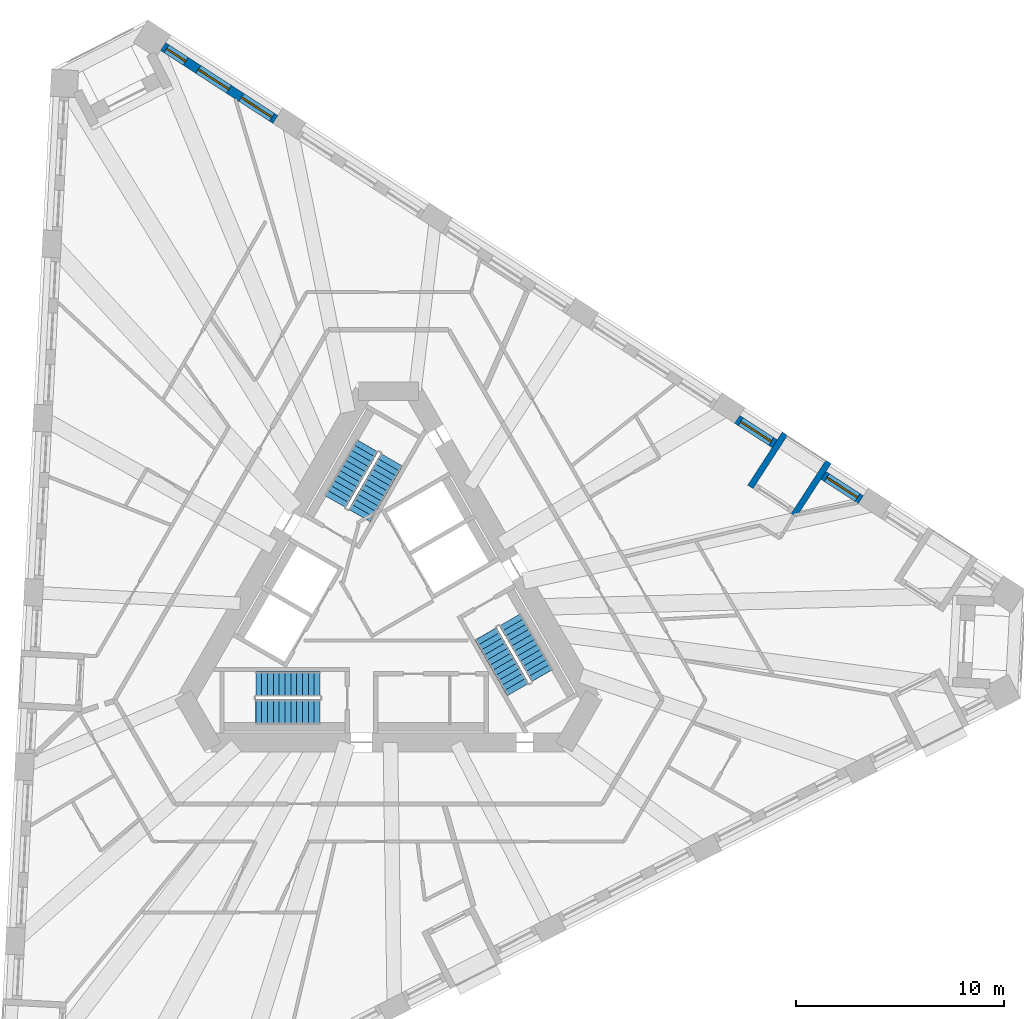
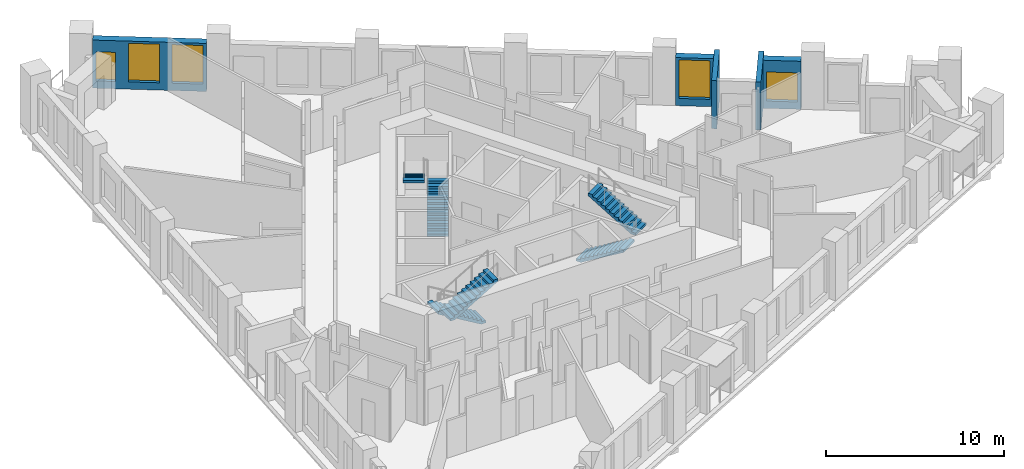
# One storey, part 9 of 13: 6 stair flights, 5 walls, 5 windows, 5 openings, 3 elements without a shape of their own.
"""IFC4 building model written with IfcOpenShell, lengths in metres."""

from ifc_helpers import new_model, si_unit, direction, frame, frame_2d, origin, place, context, subcontext, project, spatial, polyline, rectangle, outline, extrude, material, layer, layer_set, type_object, element, fill, aggregate, save


model = new_model("IFC4")

# Units and contexts
model_context = context("Model", 3, precision=1e-05, world=origin(), true_north=direction((0.0, 1.0)))
body_context = subcontext(model_context, "Body", "Model", "MODEL_VIEW")
ifc_project = project(units=[si_unit("LENGTHUNIT", "METRE"), si_unit("AREAUNIT", "SQUARE_METRE"), si_unit("VOLUMEUNIT", "CUBIC_METRE"), si_unit("PLANEANGLEUNIT", "RADIAN"), si_unit("MASSUNIT", "GRAM", prefix="KILO")], contexts=[model_context])

# Site, building, storey
site_placement = place(None, origin())
site = spatial("IfcSite", under=ifc_project, at=site_placement, CompositionType="ELEMENT")
building_placement = place(site_placement, origin())
building = spatial("IfcBuilding", under=site, at=building_placement, Name="Tramontana Tower", CompositionType="ELEMENT")
storey_placement = place(building_placement, frame((0.0, 0.0, 145.60009765625)))
storey = spatial("IfcBuildingStorey", under=building, at=storey_placement, Name="L33", CompositionType="ELEMENT", Elevation=145.60009765625)

# Wall, opening, window
ifc_material_1 = material(Name="Precast concrete 60 MPa", Category="concrete")
ifc_layer_1 = layer(ifc_material_1, 0.449951171875)
ifc_layer_set_1 = layer_set([ifc_layer_1], Name="Precast concrete 60 MPa, 450 mm")
wall_type_1 = type_object("IfcWallType", Name="EW1 Stone-faced precast wall 450", PredefinedType="SOLIDWALL", material=ifc_layer_set_1)
wall_1_placement = place(storey_placement, frame((22.660400390625, 5.345703125, 0.0), z_axis=(0.0, 0.0, 1.0), x_axis=(-0.838675466927, 0.544631491171, 0.0)))
wall_1 = element("IfcWall", 1, at=wall_1_placement, inside=storey, type_object=wall_type_1, Name="External wall L33 face 2 bay 2", PredefinedType="SOLIDWALL", context=body_context, shape_type="SweptSolid", body=[
    extrude(rectangle(XDim=2.140380859375, YDim=0.449951171875, at=frame_2d((1.0703125, 0.0))), origin(), (0.0, 0.0, 1.0), 3.2998046875),
])
opening_1_placement = place(wall_1_placement, frame((0.1953125, 0.0, 0.5)))
opening_1 = element("IfcOpeningElement", 2, at=opening_1_placement, cuts=wall_1, Name="Opening M2L", PredefinedType="OPENING", context=body_context, shape_type="SweptSolid", body=[
    extrude(rectangle(XDim=1.75, YDim=2.0, at=frame_2d((0.875, 1.0))), frame((0.0, 0.23486328125, 0.0), z_axis=(0.0, -1.0, 0.0), x_axis=(1.0, 0.0, 0.0)), (0.0, 0.0, 1.0), 0.469970703125),
])
ifc_material_2 = material(Name="Aluminum frame, double glazing unit", Category="aluminium")
window_type_1 = type_object("IfcWindowType", Name="M2L Window 1.75 x 2", PartitioningType="SINGLE_PANEL", PredefinedType="WINDOW", material=ifc_material_2)
window_1_placement = place(opening_1_placement, origin())
window_1 = element("IfcWindow", 3, at=window_1_placement, inside=storey, type_object=window_type_1, Name="Window M2L L33 face 2 module 4", OverallHeight=2.0, OverallWidth=1.75, PartitioningType="SINGLE_PANEL", PredefinedType="WINDOW", context=body_context, shape_type="SweptSolid", body=[
    extrude(rectangle(XDim=1.75, YDim=2.0, at=frame_2d((0.875, 1.0))), frame((0.0, 0.030029296875, 0.0), z_axis=(0.0, -1.0, 0.0), x_axis=(1.0, 0.0, 0.0)), (0.0, 0.0, 1.0), 0.06005859375),
])
fill(opening_1, window_1)

wall_2_placement = place(storey_placement, frame((18.52490234375, 8.03125, 0.0), z_axis=(0.0, 0.0, 1.0), x_axis=(-0.838675466927, 0.544631491171, 0.0)))
wall_2 = element("IfcWall", 4, at=wall_2_placement, inside=storey, type_object=wall_type_1, Name="External wall L33 face 2 bay 2", PredefinedType="SOLIDWALL", context=body_context, shape_type="SweptSolid", body=[
    extrude(rectangle(XDim=2.140380859375, YDim=0.449951171875, at=frame_2d((1.0703125, 0.0))), origin(), (0.0, 0.0, 1.0), 3.2998046875),
])
opening_2_placement = place(wall_2_placement, frame((0.1953125, 0.0, 0.5)))
opening_2 = element("IfcOpeningElement", 5, at=opening_2_placement, cuts=wall_2, Name="Opening M2", PredefinedType="OPENING", context=body_context, shape_type="SweptSolid", body=[
    extrude(rectangle(XDim=1.75, YDim=2.64990234375, at=frame_2d((0.875, 1.324951171875))), frame((0.0, 0.23486328125, 0.0), z_axis=(0.0, -1.0, 0.0), x_axis=(1.0, 0.0, 0.0)), (0.0, 0.0, 1.0), 0.469970703125),
])
ifc_material_3 = material(Name="Aluminum frame, double glazing unit", Category="aluminium")
window_type_2 = type_object("IfcWindowType", Name="M2 Window 1.75 x 2.65", PartitioningType="SINGLE_PANEL", PredefinedType="WINDOW", material=ifc_material_3)
window_2_placement = place(opening_2_placement, origin())
window_2 = element("IfcWindow", 6, at=window_2_placement, inside=storey, type_object=window_type_2, Name="Window M2 L33 face 2 module 6", OverallHeight=2.64990234375, OverallWidth=1.75, PartitioningType="SINGLE_PANEL", PredefinedType="WINDOW", context=body_context, shape_type="SweptSolid", body=[
    extrude(rectangle(XDim=1.75, YDim=2.64990234375, at=frame_2d((0.875, 1.324951171875))), frame((0.0, 0.030029296875, 0.0), z_axis=(0.0, -1.0, 0.0), x_axis=(1.0, 0.0, 0.0)), (0.0, 0.0, 1.0), 0.06005859375),
])
fill(opening_2, window_2)

# Wall, openings, windows
wall_3_placement = place(storey_placement, frame((-5.423583984375, 23.583740234375, 0.0), z_axis=(0.0, 0.0, 1.0), x_axis=(-0.838675466927, 0.544631491171, 0.0)))
wall_3 = element("IfcWall", 7, at=wall_3_placement, inside=storey, type_object=wall_type_1, Name="External wall L33 face 2 bay 6", PredefinedType="SOLIDWALL", context=body_context, shape_type="SweptSolid", body=[
    extrude(rectangle(XDim=6.42138671875, YDim=0.449951171875, at=frame_2d((3.210693359375, 0.0))), origin(), (0.0, 0.0, 1.0), 3.2998046875),
])
opening_3_placement = place(wall_3_placement, frame((0.1953125, 0.0, 0.5)))
opening_3 = element("IfcOpeningElement", 8, at=opening_3_placement, cuts=wall_3, Name="Opening M2", PredefinedType="OPENING", context=body_context, shape_type="SweptSolid", body=[
    extrude(rectangle(XDim=1.75, YDim=2.64990234375, at=frame_2d((0.875, 1.324951171875))), frame((0.0, 0.23486328125, 0.0), z_axis=(0.0, -1.0, 0.0), x_axis=(1.0, 0.0, 0.0)), (0.0, 0.0, 1.0), 0.469970703125),
])
opening_4_placement = place(wall_3_placement, frame((2.660888671875, 0.0, 0.5)))
opening_4 = element("IfcOpeningElement", 9, at=opening_4_placement, cuts=wall_3, Name="Opening M2", PredefinedType="OPENING", context=body_context, shape_type="SweptSolid", body=[
    extrude(rectangle(XDim=1.75, YDim=2.64990234375, at=frame_2d((0.875, 1.324951171875))), frame((0.0, 0.23486328125, 0.0), z_axis=(0.0, -1.0, 0.0), x_axis=(1.0, 0.0, 0.0)), (0.0, 0.0, 1.0), 0.469970703125),
])
opening_5_placement = place(wall_3_placement, frame((5.126220703125, 0.0, 0.5)))
opening_5 = element("IfcOpeningElement", 10, at=opening_5_placement, cuts=wall_3, Name="Opening N2L", PredefinedType="OPENING", context=body_context, shape_type="SweptSolid", body=[
    extrude(rectangle(XDim=1.10009765625, YDim=2.0, at=frame_2d((0.550048828125, 1.0))), frame((0.0, 0.23486328125, 0.0), z_axis=(0.0, -1.0, 0.0), x_axis=(1.0, 0.0, 0.0)), (0.0, 0.0, 1.0), 0.469970703125),
])
window_3_placement = place(opening_3_placement, origin())
window_3 = element("IfcWindow", 11, at=window_3_placement, inside=storey, type_object=window_type_2, Name="Window M2 L33 face 2 module 16", OverallHeight=2.64990234375, OverallWidth=1.75, PartitioningType="SINGLE_PANEL", PredefinedType="WINDOW", context=body_context, shape_type="SweptSolid", body=[
    extrude(rectangle(XDim=1.75, YDim=2.64990234375, at=frame_2d((0.875, 1.324951171875))), frame((0.0, 0.030029296875, 0.0), z_axis=(0.0, -1.0, 0.0), x_axis=(1.0, 0.0, 0.0)), (0.0, 0.0, 1.0), 0.06005859375),
])
fill(opening_3, window_3)
window_4_placement = place(opening_4_placement, origin())
window_4 = element("IfcWindow", 12, at=window_4_placement, inside=storey, type_object=window_type_2, Name="Window M2 L33 face 2 module 17", OverallHeight=2.64990234375, OverallWidth=1.75, PartitioningType="SINGLE_PANEL", PredefinedType="WINDOW", context=body_context, shape_type="SweptSolid", body=[
    extrude(rectangle(XDim=1.75, YDim=2.64990234375, at=frame_2d((0.875, 1.324951171875))), frame((0.0, 0.030029296875, 0.0), z_axis=(0.0, -1.0, 0.0), x_axis=(1.0, 0.0, 0.0)), (0.0, 0.0, 1.0), 0.06005859375),
])
fill(opening_4, window_4)
ifc_material_4 = material(Name="Aluminum frame, double glazing unit", Category="aluminium")
window_type_3 = type_object("IfcWindowType", Name="N2L Window 1.1 x 2", PartitioningType="SINGLE_PANEL", PredefinedType="WINDOW", material=ifc_material_4)
window_5_placement = place(opening_5_placement, origin())
window_5 = element("IfcWindow", 13, at=window_5_placement, inside=storey, type_object=window_type_3, Name="Window N2L L33 face 2 module 18", OverallHeight=2.0, OverallWidth=1.10009765625, PartitioningType="SINGLE_PANEL", PredefinedType="WINDOW", context=body_context, shape_type="SweptSolid", body=[
    extrude(rectangle(XDim=1.10009765625, YDim=2.0, at=frame_2d((0.550048828125, 1.0))), frame((0.0, 0.030029296875, 0.0), z_axis=(0.0, -1.0, 0.0), x_axis=(1.0, 0.0, 0.0)), (0.0, 0.0, 1.0), 0.06005859375),
])
fill(opening_5, window_5)

# Walls
ifc_material_5 = material(Name="Precast concrete 60 MPa", Category="concrete")
ifc_layer_2 = layer(ifc_material_5, 0.300048828125)
ifc_layer_set_2 = layer_set([ifc_layer_2], Name="LW1 Stone-faced loggia wall 300")
wall_type_2 = type_object("IfcWallType", Name="LW1 Stone-faced loggia wall 300", PredefinedType="SOLIDWALL", material=ifc_layer_set_2)
for number, where, z_axis, x_axis, name in (
    (14, (21.10693359375, 7.1591796875, 0.0), (0.0, 0.0, 1.0), (-0.544647854685, -0.838664840319, 0.0), "Loggia return L33 G3S2.4a"),
    (15, (19.018310546875, 8.515625, 0.0), (0.0, 0.0, 1.0), (-0.544647854685, -0.838664840319, 0.0), "Loggia return L33 G3S2.4b"),
):
    element("IfcWall", number, at=place(storey_placement, frame(where, z_axis=z_axis, x_axis=x_axis)), inside=storey, type_object=wall_type_2, Name=name, PredefinedType="SOLIDWALL", context=body_context, shape_type="SweptSolid", body=[
        extrude(rectangle(XDim=3.0498046875, YDim=0.300048828125, at=frame_2d((1.52490234375, 0.0))), origin(), (0.0, 0.0, 1.0), 3.2998046875),
    ])

# Stair, stair flights
ifc_material_6 = material(Name="Concrete 40 MPa", Category="concrete")
stair_type = type_object("IfcStairType", Name="EXIT STAIR 24 RISERS", PredefinedType="HALF_TURN_STAIR", material=ifc_material_6)
stair_1_placement = place(storey_placement, origin())
stair_1 = element("IfcStair", 16, at=stair_1_placement, inside=storey, type_object=stair_type, Name="L33 Exit stair ST1", PredefinedType="HALF_TURN_STAIR")
ifc_material_7 = material(Name="Concrete 40 MPa", Category="concrete")
ifc_layer_3 = layer(ifc_material_7, 0.14990234375)
ifc_layer_set_3 = layer_set([ifc_layer_3], Name="EXIT STAIR FLIGHT")
stair_flight_type = type_object("IfcStairFlightType", Name="EXIT STAIR FLIGHT", PredefinedType="STRAIGHT", material=ifc_layer_set_3)
stair_flight_1_placement = place(storey_placement, frame((-1.39111328125, 4.590576171875, 0.0), z_axis=(0.0, 0.0, 1.0), x_axis=(0.5, 0.866025403784, 0.0)))
stair_flight_1 = element("IfcStairFlight", 17, at=stair_flight_1_placement, type_object=stair_flight_type, Name="ST1 flight 1", NumberOfRisers=12, NumberOfTreads=11, PredefinedType="STRAIGHT", RiserHeight=0.166666667, TreadLength=0.28, context=body_context, shape_type="SweptSolid", body=[
    extrude(outline(polyline([(-0.006103515625, 0.0), (-0.006103515625, 0.0400390625), (0.0, 0.0400390625), (0.0, 0.166748046875), (0.280029296875, 0.166748046875), (0.280029296875, 0.333251953125), (0.56005859375, 0.333251953125), (0.56005859375, 0.5), (0.840087890625, 0.5), (0.840087890625, 0.666748046875), (1.1201171875, 0.666748046875), (1.1201171875, 0.833251953125), (1.39990234375, 0.833251953125), (1.39990234375, 1.0), (1.679931640625, 1.0), (1.679931640625, 1.166748046875), (1.9599609375, 1.166748046875), (1.9599609375, 1.333251953125), (2.239990234375, 1.333251953125), (2.239990234375, 1.5), (2.52001953125, 1.5), (2.52001953125, 1.666748046875), (2.800048828125, 1.666748046875), (2.800048828125, 1.833251953125), (3.080078125, 1.833251953125), (3.0859375, 1.833251953125), (3.0859375, 1.658935546875), (0.299072265625, 0.0), (-0.006103515625, 0.0)])), frame((0.0, 0.60009765625, 0.0), z_axis=(0.0, -1.0, 0.0), x_axis=(1.0, 0.0, 0.0)), (0.0, 0.0, 1.0), 1.199951171875),
])
stair_flight_2_placement = place(storey_placement, frame((-1.020263671875, 7.932861328125, 2.0), z_axis=(0.0, 0.0, 1.0), x_axis=(-0.5, -0.866025403784, 0.0)))
stair_flight_2 = element("IfcStairFlight", 18, at=stair_flight_2_placement, type_object=stair_flight_type, Name="ST1 flight 2", NumberOfRisers=12, NumberOfTreads=11, PredefinedType="STRAIGHT", RiserHeight=0.166666667, TreadLength=0.28, context=body_context, shape_type="SweptSolid", body=[
    extrude(outline(polyline([(-0.006103515625, 0.0), (-0.006103515625, 0.0400390625), (0.0, 0.0400390625), (0.0, 0.166748046875), (0.280029296875, 0.166748046875), (0.280029296875, 0.333251953125), (0.56005859375, 0.333251953125), (0.56005859375, 0.5), (0.840087890625, 0.5), (0.840087890625, 0.666748046875), (1.1201171875, 0.666748046875), (1.1201171875, 0.833251953125), (1.39990234375, 0.833251953125), (1.39990234375, 1.0), (1.679931640625, 1.0), (1.679931640625, 1.166748046875), (1.9599609375, 1.166748046875), (1.9599609375, 1.333251953125), (2.239990234375, 1.333251953125), (2.239990234375, 1.5), (2.52001953125, 1.5), (2.52001953125, 1.666748046875), (2.800048828125, 1.666748046875), (2.800048828125, 1.833251953125), (3.080078125, 1.833251953125), (3.0859375, 1.833251953125), (3.0859375, 1.658935546875), (0.299072265625, 0.0), (-0.006103515625, 0.0)])), frame((0.0, 0.60009765625, 0.0), z_axis=(0.0, -1.0, 0.0), x_axis=(1.0, 0.0, 0.0)), (0.0, 0.0, 1.0), 1.199951171875),
])
aggregate(stair_1, [stair_flight_1, stair_flight_2])

stair_2_placement = place(storey_placement, origin())
stair_2 = element("IfcStair", 19, at=stair_2_placement, inside=storey, type_object=stair_type, Name="L33 Exit stair ST2", PredefinedType="HALF_TURN_STAIR")
stair_flight_3_placement = place(storey_placement, frame((-3.280029296875, -3.5, 0.0), z_axis=(0.0, 0.0, 1.0), x_axis=(-1.0, 0.0, 0.0)))
stair_flight_3 = element("IfcStairFlight", 20, at=stair_flight_3_placement, type_object=stair_flight_type, Name="ST2 flight 1", NumberOfRisers=12, NumberOfTreads=11, PredefinedType="STRAIGHT", RiserHeight=0.166666667, TreadLength=0.28, context=body_context, shape_type="SweptSolid", body=[
    extrude(outline(polyline([(-0.006103515625, 0.0), (-0.006103515625, 0.0400390625), (0.0, 0.0400390625), (0.0, 0.166748046875), (0.280029296875, 0.166748046875), (0.280029296875, 0.333251953125), (0.56005859375, 0.333251953125), (0.56005859375, 0.5), (0.840087890625, 0.5), (0.840087890625, 0.666748046875), (1.1201171875, 0.666748046875), (1.1201171875, 0.833251953125), (1.39990234375, 0.833251953125), (1.39990234375, 1.0), (1.679931640625, 1.0), (1.679931640625, 1.166748046875), (1.9599609375, 1.166748046875), (1.9599609375, 1.333251953125), (2.239990234375, 1.333251953125), (2.239990234375, 1.5), (2.52001953125, 1.5), (2.52001953125, 1.666748046875), (2.800048828125, 1.666748046875), (2.800048828125, 1.833251953125), (3.080078125, 1.833251953125), (3.0859375, 1.833251953125), (3.0859375, 1.658935546875), (0.299072265625, 0.0), (-0.006103515625, 0.0)])), frame((0.0, 0.60009765625, 0.0), z_axis=(0.0, -1.0, 0.0), x_axis=(1.0, 0.0, 0.0)), (0.0, 0.0, 1.0), 1.199951171875),
])
stair_flight_4_placement = place(storey_placement, frame((-6.360107421875, -4.85009765625, 2.0), z_axis=(0.0, 0.0, 1.0), x_axis=(1.0, 0.0, 0.0)))
stair_flight_4 = element("IfcStairFlight", 21, at=stair_flight_4_placement, type_object=stair_flight_type, Name="ST2 flight 2", NumberOfRisers=12, NumberOfTreads=11, PredefinedType="STRAIGHT", RiserHeight=0.166666667, TreadLength=0.28, context=body_context, shape_type="SweptSolid", body=[
    extrude(outline(polyline([(-0.006103515625, 0.0), (-0.006103515625, 0.0400390625), (0.0, 0.0400390625), (0.0, 0.166748046875), (0.280029296875, 0.166748046875), (0.280029296875, 0.333251953125), (0.56005859375, 0.333251953125), (0.56005859375, 0.5), (0.840087890625, 0.5), (0.840087890625, 0.666748046875), (1.1201171875, 0.666748046875), (1.1201171875, 0.833251953125), (1.39990234375, 0.833251953125), (1.39990234375, 1.0), (1.679931640625, 1.0), (1.679931640625, 1.166748046875), (1.9599609375, 1.166748046875), (1.9599609375, 1.333251953125), (2.239990234375, 1.333251953125), (2.239990234375, 1.5), (2.52001953125, 1.5), (2.52001953125, 1.666748046875), (2.800048828125, 1.666748046875), (2.800048828125, 1.833251953125), (3.080078125, 1.833251953125), (3.0859375, 1.833251953125), (3.0859375, 1.658935546875), (0.299072265625, 0.0), (-0.006103515625, 0.0)])), frame((0.0, 0.60009765625, 0.0), z_axis=(0.0, -1.0, 0.0), x_axis=(1.0, 0.0, 0.0)), (0.0, 0.0, 1.0), 1.199951171875),
])
aggregate(stair_2, [stair_flight_3, stair_flight_4])

stair_3_placement = place(storey_placement, origin())
stair_3 = element("IfcStair", 22, at=stair_3_placement, inside=storey, type_object=stair_type, Name="L33 Exit stair ST3", PredefinedType="HALF_TURN_STAIR")
stair_flight_5_placement = place(storey_placement, frame((4.671142578125, -1.090576171875, 0.0), z_axis=(0.0, 0.0, 1.0), x_axis=(0.5, -0.866025403784, 0.0)))
stair_flight_5 = element("IfcStairFlight", 23, at=stair_flight_5_placement, type_object=stair_flight_type, Name="ST3 flight 1", NumberOfRisers=12, NumberOfTreads=11, PredefinedType="STRAIGHT", RiserHeight=0.166666667, TreadLength=0.28, context=body_context, shape_type="SweptSolid", body=[
    extrude(outline(polyline([(-0.006103515625, 0.0), (-0.006103515625, 0.0400390625), (0.0, 0.0400390625), (0.0, 0.166748046875), (0.280029296875, 0.166748046875), (0.280029296875, 0.333251953125), (0.56005859375, 0.333251953125), (0.56005859375, 0.5), (0.840087890625, 0.5), (0.840087890625, 0.666748046875), (1.1201171875, 0.666748046875), (1.1201171875, 0.833251953125), (1.39990234375, 0.833251953125), (1.39990234375, 1.0), (1.679931640625, 1.0), (1.679931640625, 1.166748046875), (1.9599609375, 1.166748046875), (1.9599609375, 1.333251953125), (2.239990234375, 1.333251953125), (2.239990234375, 1.5), (2.52001953125, 1.5), (2.52001953125, 1.666748046875), (2.800048828125, 1.666748046875), (2.800048828125, 1.833251953125), (3.080078125, 1.833251953125), (3.0859375, 1.833251953125), (3.0859375, 1.658935546875), (0.299072265625, 0.0), (-0.006103515625, 0.0)])), frame((0.0, 0.60009765625, 0.0), z_axis=(0.0, -1.0, 0.0), x_axis=(1.0, 0.0, 0.0)), (0.0, 0.0, 1.0), 1.199951171875),
])
stair_flight_6_placement = place(storey_placement, frame((7.380126953125, -3.0830078125, 2.0), z_axis=(0.0, 0.0, 1.0), x_axis=(-0.5, 0.866025403784, 0.0)))
stair_flight_6 = element("IfcStairFlight", 24, at=stair_flight_6_placement, type_object=stair_flight_type, Name="ST3 flight 2", NumberOfRisers=12, NumberOfTreads=11, PredefinedType="STRAIGHT", RiserHeight=0.166666667, TreadLength=0.28, context=body_context, shape_type="SweptSolid", body=[
    extrude(outline(polyline([(-0.006103515625, 0.0), (-0.006103515625, 0.0400390625), (0.0, 0.0400390625), (0.0, 0.166748046875), (0.280029296875, 0.166748046875), (0.280029296875, 0.333251953125), (0.56005859375, 0.333251953125), (0.56005859375, 0.5), (0.840087890625, 0.5), (0.840087890625, 0.666748046875), (1.1201171875, 0.666748046875), (1.1201171875, 0.833251953125), (1.39990234375, 0.833251953125), (1.39990234375, 1.0), (1.679931640625, 1.0), (1.679931640625, 1.166748046875), (1.9599609375, 1.166748046875), (1.9599609375, 1.333251953125), (2.239990234375, 1.333251953125), (2.239990234375, 1.5), (2.52001953125, 1.5), (2.52001953125, 1.666748046875), (2.800048828125, 1.666748046875), (2.800048828125, 1.833251953125), (3.080078125, 1.833251953125), (3.0859375, 1.833251953125), (3.0859375, 1.658935546875), (0.299072265625, 0.0), (-0.006103515625, 0.0)])), frame((0.0, 0.60009765625, 0.0), z_axis=(0.0, -1.0, 0.0), x_axis=(1.0, 0.0, 0.0)), (0.0, 0.0, 1.0), 1.199951171875),
])
aggregate(stair_3, [stair_flight_5, stair_flight_6])

save(model, "model.ifc")
